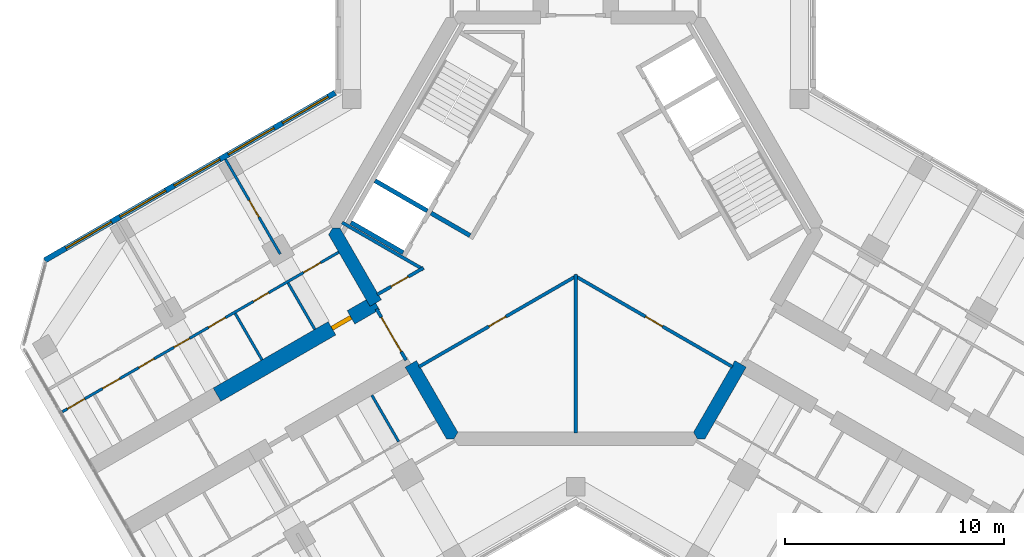
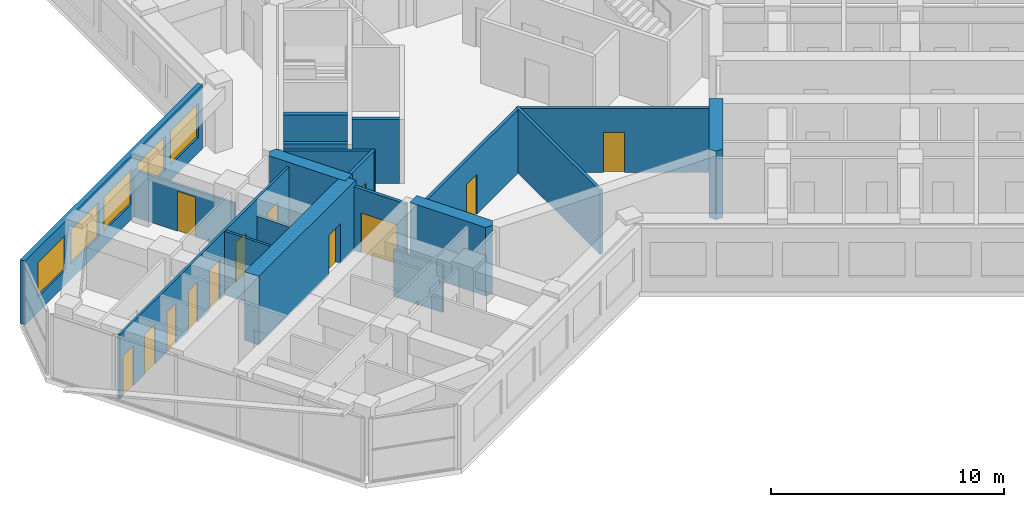
# One storey, part 9 of 16: 19 walls, 13 doors, 5 windows, 18 openings.
"""IFC4 building model written with IfcOpenShell, lengths in metres."""

from ifc_helpers import new_model, si_unit, direction, frame, frame_2d, origin, place, context, subcontext, project, spatial, polyline, rectangle, outline, extrude, material, layer, layer_set, type_object, element, fill, save


model = new_model("IFC4")

# Units and contexts
model_context = context("Model", 3, precision=1e-05, world=origin(), true_north=direction((0.0, 1.0)))
body_context = subcontext(model_context, "Body", "Model", "MODEL_VIEW")
ifc_project = project(units=[si_unit("LENGTHUNIT", "METRE"), si_unit("AREAUNIT", "SQUARE_METRE"), si_unit("VOLUMEUNIT", "CUBIC_METRE"), si_unit("PLANEANGLEUNIT", "RADIAN"), si_unit("MASSUNIT", "GRAM", prefix="KILO")], contexts=[model_context])

# Site, building, storey
site_placement = place(None, origin())
site = spatial("IfcSite", under=ifc_project, at=site_placement, CompositionType="ELEMENT")
building_placement = place(site_placement, origin())
building = spatial("IfcBuilding", under=site, at=building_placement, Name="Kosmar Iwan School Tower", CompositionType="ELEMENT")
storey_placement = place(building_placement, frame((0.0, 0.0, 231.60009765625)))
storey = spatial("IfcBuildingStorey", under=building, at=storey_placement, Name="L58", CompositionType="ELEMENT", Elevation=231.60009765625)

# Wall
ifc_material_1 = material(Name="Gypsum board on steel studs, fire-rated", Category="steel")
ifc_layer_1 = layer(ifc_material_1, 0.14990234375)
ifc_layer_set_1 = layer_set([ifc_layer_1], Name="Core room partition 150")
wall_type_1 = type_object("IfcWallType", Name="Core room partition 150", PredefinedType="PARTITIONING", material=ifc_layer_set_1)
wall_1_placement = place(storey_placement, frame((0.0, -9.344970703125, 0.0), z_axis=(0.0, 0.0, 1.0), x_axis=(0.0, 1.0, 0.0)))
element("IfcWall", 1, at=wall_1_placement, inside=storey, type_object=wall_type_1, Name="Core room partition L58-CW5", PredefinedType="PARTITIONING", context=body_context, shape_type="SweptSolid", body=[
    extrude(rectangle(XDim=7.22607421875, YDim=0.14990234375, at=frame_2d((3.613037109375, 0.0))), origin(), (0.0, 0.0, 1.0), 3.349853515625),
])

# Wall, opening, door
wall_2_placement = place(storey_placement, frame((-0.06494140625, -2.156494140625, 0.0), z_axis=(0.0, 0.0, 1.0), x_axis=(0.866034159509, -0.499984834333, 0.0)))
wall_2 = element("IfcWall", 2, at=wall_2_placement, inside=storey, type_object=wall_type_1, Name="Core room partition L58-CW6", PredefinedType="PARTITIONING", context=body_context, shape_type="SweptSolid", body=[
    extrude(rectangle(XDim=8.322998046875, YDim=0.14990234375, at=frame_2d((4.16162109375, 0.0))), origin(), (0.0, 0.0, 1.0), 3.349853515625),
])
opening_1_placement = place(wall_2_placement, frame((3.7470703125, 0.0, 0.0)))
opening_1 = element("IfcOpeningElement", 3, at=opening_1_placement, cuts=wall_2, Name="Opening D14", PredefinedType="OPENING", context=body_context, shape_type="SweptSolid", body=[
    extrude(rectangle(XDim=0.89990234375, YDim=2.10009765625, at=frame_2d((0.449951171875, 1.050048828125))), frame((0.0, 0.0869140625, 0.0), z_axis=(0.0, -1.0, 0.0), x_axis=(1.0, 0.0, 0.0)), (0.0, 0.0, 1.0), 0.173828125),
])
ifc_material_2 = material(Name="Timber fire door in steel frame", Category="steel")
door_type_1 = type_object("IfcDoorType", Name="Core room door 900x2100", OperationType="SINGLE_SWING_LEFT", PredefinedType="DOOR", material=ifc_material_2)
door_1_placement = place(opening_1_placement, origin())
door_1 = element("IfcDoor", 4, at=door_1_placement, inside=storey, type_object=door_type_1, Name="Residents' laundry room door L58 3", OperationType="SINGLE_SWING_RIGHT", OverallHeight=2.10009765625, OverallWidth=0.89990234375, PredefinedType="DOOR", context=body_context, shape_type="SweptSolid", body=[
    extrude(rectangle(XDim=0.89990234375, YDim=2.10009765625, at=frame_2d((0.449951171875, 1.050048828125))), frame((0.0, 0.02490234375, 0.0), z_axis=(0.0, -1.0, 0.0), x_axis=(1.0, 0.0, 0.0)), (0.0, 0.0, 1.0), 0.050048828125),
])
fill(opening_1, door_1)

wall_3_placement = place(storey_placement, frame((-7.14306640625, -6.31787109375, 0.0), z_axis=(0.0, 0.0, 1.0), x_axis=(0.866034159509, 0.499984834333, 0.0)))
wall_3 = element("IfcWall", 5, at=wall_3_placement, inside=storey, type_object=wall_type_1, Name="Core room partition L58-CW7", PredefinedType="PARTITIONING", context=body_context, shape_type="SweptSolid", body=[
    extrude(rectangle(XDim=8.322998046875, YDim=0.14990234375, at=frame_2d((4.16162109375, 0.0))), origin(), (0.0, 0.0, 1.0), 3.349853515625),
])
opening_2_placement = place(wall_3_placement, frame((3.677001953125, 0.0, 0.0)))
opening_2 = element("IfcOpeningElement", 6, at=opening_2_placement, cuts=wall_3, Name="Opening D14", PredefinedType="OPENING", context=body_context, shape_type="SweptSolid", body=[
    extrude(rectangle(XDim=0.89990234375, YDim=2.10009765625, at=frame_2d((0.449951171875, 1.050048828125))), frame((0.0, 0.0869140625, 0.0), z_axis=(0.0, -1.0, 0.0), x_axis=(1.0, 0.0, 0.0)), (0.0, 0.0, 1.0), 0.173828125),
])
door_2_placement = place(opening_2_placement, origin())
door_2 = element("IfcDoor", 7, at=door_2_placement, inside=storey, type_object=door_type_1, Name="Bulky waste store door L58 4", OperationType="SINGLE_SWING_LEFT", OverallHeight=2.10009765625, OverallWidth=0.89990234375, PredefinedType="DOOR", context=body_context, shape_type="SweptSolid", body=[
    extrude(rectangle(XDim=0.89990234375, YDim=2.10009765625, at=frame_2d((0.449951171875, 1.050048828125))), frame((0.0, 0.02490234375, 0.0), z_axis=(0.0, -1.0, 0.0), x_axis=(1.0, 0.0, 0.0)), (0.0, 0.0, 1.0), 0.050048828125),
])
fill(opening_2, door_2)

# Wall
wall_4_placement = place(storey_placement, frame((-10.64306640625, 0.255859375, 0.0), z_axis=(0.0, 0.0, 1.0), x_axis=(0.866020364144, -0.500008728811, 0.0)))
element("IfcWall", 8, at=wall_4_placement, inside=storey, type_object=wall_type_1, Name="Core room partition L58-CW8", PredefinedType="PARTITIONING", context=body_context, shape_type="SweptSolid", body=[
    extrude(rectangle(XDim=4.28173828125, YDim=0.14990234375, at=frame_2d((2.140869140625, 0.0))), origin(), (0.0, 0.0, 1.0), 3.349853515625),
])

# Wall, opening, door
wall_5_placement = place(storey_placement, frame((-6.93505859375, -1.81005859375, 0.0), z_axis=(0.0, 0.0, 1.0), x_axis=(-0.86601855109, -0.500011869027, 0.0)))
wall_5 = element("IfcWall", 9, at=wall_5_placement, inside=storey, type_object=wall_type_1, Name="Core room partition L58-CW9", PredefinedType="PARTITIONING", context=body_context, shape_type="SweptSolid", body=[
    extrude(rectangle(XDim=2.43408203125, YDim=0.14990234375, at=frame_2d((1.217041015625, 0.0))), origin(), (0.0, 0.0, 1.0), 3.349853515625),
])
opening_3_placement = place(wall_5_placement, frame((0.802001953125, 0.0, 0.0)))
opening_3 = element("IfcOpeningElement", 10, at=opening_3_placement, cuts=wall_5, Name="Opening D14", PredefinedType="OPENING", context=body_context, shape_type="SweptSolid", body=[
    extrude(rectangle(XDim=0.89990234375, YDim=2.10009765625, at=frame_2d((0.449951171875, 1.050048828125))), frame((0.0, 0.0869140625, 0.0), z_axis=(0.0, -1.0, 0.0), x_axis=(1.0, 0.0, 0.0)), (0.0, 0.0, 1.0), 0.173828125),
])
door_3_placement = place(opening_3_placement, origin())
door_3 = element("IfcDoor", 11, at=door_3_placement, inside=storey, type_object=door_type_1, Name="Communications room door L58 5", OperationType="SINGLE_SWING_RIGHT", OverallHeight=2.10009765625, OverallWidth=0.89990234375, PredefinedType="DOOR", context=body_context, shape_type="SweptSolid", body=[
    extrude(rectangle(XDim=0.89990234375, YDim=2.10009765625, at=frame_2d((0.449951171875, 1.050048828125))), frame((0.0, 0.02490234375, 0.0), z_axis=(0.0, -1.0, 0.0), x_axis=(1.0, 0.0, 0.0)), (0.0, 0.0, 1.0), 0.050048828125),
])
fill(opening_3, door_3)

# Walls
ifc_material_3 = material(Name="Concrete C50/60", Category="concrete")
ifc_layer_2 = layer(ifc_material_3, 0.60009765625)
ifc_layer_set_2 = layer_set([ifc_layer_2], Name="Core wall 600")
wall_type_2 = type_object("IfcWallType", Name="Core wall 600", PredefinedType="SHEAR", material=ifc_layer_set_2)
wall_6_placement = place(storey_placement, origin())
element("IfcWall", 12, at=wall_6_placement, inside=storey, type_object=wall_type_2, Name="Core wall F210a", PredefinedType="SHEAR", context=body_context, shape_type="SweptSolid", body=[
    extrude(outline(polyline([(-9.37353515625, -3.564453125), (-8.85400390625, -3.264404296875), (-10.73876953125, 0.0), (-11.085205078125, 0.0), (-11.25830078125, -0.300048828125), (-9.37353515625, -3.564453125)])), origin(), (0.0, 0.0, 1.0), 3.599853515625),
])
wall_7_placement = place(storey_placement, origin())
element("IfcWall", 13, at=wall_7_placement, inside=storey, type_object=wall_type_2, Name="Core wall F210b", PredefinedType="SHEAR", context=body_context, shape_type="SweptSolid", body=[
    extrude(outline(polyline([(-5.888916015625, -9.60009765625), (-5.54248046875, -9.60009765625), (-5.369384765625, -9.300048828125), (-7.254150390625, -6.03564453125), (-7.773681640625, -6.335693359375), (-5.888916015625, -9.60009765625)])), origin(), (0.0, 0.0, 1.0), 3.599853515625),
])
wall_8_placement = place(storey_placement, origin())
element("IfcWall", 14, at=wall_8_placement, inside=storey, type_object=wall_type_2, Name="Core wall F330a", PredefinedType="SHEAR", context=body_context, shape_type="SweptSolid", body=[
    extrude(outline(polyline([(5.54248046875, -9.60009765625), (5.888916015625, -9.60009765625), (7.773681640625, -6.335693359375), (7.254150390625, -6.03564453125), (5.369384765625, -9.300048828125), (5.54248046875, -9.60009765625)])), origin(), (0.0, 0.0, 1.0), 3.599853515625),
])

# Wall, opening, door
ifc_material_4 = material(Name="Concrete C50/60", Category="concrete")
ifc_layer_3 = layer(ifc_material_4, 0.699951171875)
ifc_layer_set_3 = layer_set([ifc_layer_3], Name="Corridor buttress wall 700")
wall_type_3 = type_object("IfcWallType", Name="Corridor buttress wall 700", PredefinedType="SHEAR", material=ifc_layer_set_3)
wall_9_placement = place(storey_placement, frame((-9.11376953125, -3.414306640625, 0.0), z_axis=(0.0, 0.0, 1.0), x_axis=(-0.866026859388, -0.499997478812, 0.0)))
wall_9 = element("IfcWall", 15, at=wall_9_placement, inside=storey, type_object=wall_type_3, Name="Corridor wall BR", PredefinedType="SHEAR", context=body_context, shape_type="SweptSolid", body=[
    extrude(rectangle(XDim=8.35009765625, YDim=0.699951171875, at=frame_2d((4.175048828125, 0.0))), origin(), (0.0, 0.0, 1.0), 3.599853515625),
])
opening_4_placement = place(wall_9_placement, frame((1.300048828125, 0.0, 0.0)))
opening_4 = element("IfcOpeningElement", 16, at=opening_4_placement, cuts=wall_9, Name="Opening D1", PredefinedType="OPENING", context=body_context, shape_type="SweptSolid", body=[
    extrude(rectangle(XDim=1.0, YDim=2.10009765625, at=frame_2d((0.5, 1.050048828125))), frame((0.0, 0.362060546875, 0.0), z_axis=(0.0, -1.0, 0.0), x_axis=(1.0, 0.0, 0.0)), (0.0, 0.0, 1.0), 0.723876953125),
])
ifc_material_5 = material(Name="Timber fire door in steel frame", Category="steel")
door_type_2 = type_object("IfcDoorType", Name="Flat entrance door 1000x2100", OperationType="SINGLE_SWING_LEFT", PredefinedType="DOOR", material=ifc_material_5)
door_4_placement = place(opening_4_placement, origin())
door_4 = element("IfcDoor", 17, at=door_4_placement, inside=storey, type_object=door_type_2, Name="Flat L58-BR1 entrance door", OperationType="SINGLE_SWING_LEFT", OverallHeight=2.10009765625, OverallWidth=1.0, PredefinedType="DOOR", context=body_context, shape_type="SweptSolid", body=[
    extrude(rectangle(XDim=1.0, YDim=2.10009765625, at=frame_2d((0.5, 1.050048828125))), frame((0.0, 0.10009765625, 0.0), z_axis=(0.0, -1.0, 0.0), x_axis=(1.0, 0.0, 0.0)), (0.0, 0.0, 1.0), 0.199951171875),
])
fill(opening_4, door_4)

ifc_material_6 = material(Name="Steel framed glazed screen", Category="steel")
ifc_layer_4 = layer(ifc_material_6, 0.14990234375)
ifc_layer_set_4 = layer_set([ifc_layer_4], Name="Corridor screen wall 150")
wall_type_4 = type_object("IfcWallType", Name="Corridor screen wall 150", PredefinedType="PARTITIONING", material=ifc_layer_set_4)
wall_10_placement = place(storey_placement, frame((-9.075439453125, -3.680908203125, 0.0), z_axis=(0.0, 0.0, 1.0), x_axis=(0.500048589285, -0.86599734893, 0.0)))
wall_10 = element("IfcWall", 18, at=wall_10_placement, inside=storey, type_object=wall_type_4, Name="Corridor screen B L58", PredefinedType="PARTITIONING", context=body_context, shape_type="SweptSolid", body=[
    extrude(rectangle(XDim=2.699951171875, YDim=0.14990234375, at=frame_2d((1.35009765625, 0.0))), origin(), (0.0, 0.0, 1.0), 3.349853515625),
])
opening_5_placement = place(wall_10_placement, frame((0.449951171875, 0.0, 0.0)))
opening_5 = element("IfcOpeningElement", 19, at=opening_5_placement, cuts=wall_10, Name="Opening D9", PredefinedType="OPENING", context=body_context, shape_type="SweptSolid", body=[
    extrude(rectangle(XDim=1.800048828125, YDim=2.10009765625, at=frame_2d((0.89990234375, 1.050048828125))), frame((0.0, 0.0869140625, 0.0), z_axis=(0.0, -1.0, 0.0), x_axis=(1.0, 0.0, 0.0)), (0.0, 0.0, 1.0), 0.173828125),
])
ifc_material_7 = material(Name="Steel framed glazed smoke door", Category="steel")
door_type_3 = type_object("IfcDoorType", Name="Corridor smoke door pair 1800x2100", OperationType="DOUBLE_DOOR_DOUBLE_SWING", PredefinedType="DOOR", material=ifc_material_7)
door_5_placement = place(opening_5_placement, origin())
door_5 = element("IfcDoor", 20, at=door_5_placement, inside=storey, type_object=door_type_3, Name="Corridor doors B L58", OperationType="DOUBLE_DOOR_DOUBLE_SWING", OverallHeight=2.10009765625, OverallWidth=1.800048828125, PredefinedType="DOOR", context=body_context, shape_type="SweptSolid", body=[
    extrude(rectangle(XDim=1.800048828125, YDim=2.10009765625, at=frame_2d((0.89990234375, 1.050048828125))), frame((0.0, 0.02490234375, 0.0), z_axis=(0.0, -1.0, 0.0), x_axis=(1.0, 0.0, 0.0)), (0.0, 0.0, 1.0), 0.050048828125),
])
fill(opening_5, door_5)

# Wall
ifc_material_8 = material(Name="Gypsum board on steel studs", Category="steel")
ifc_layer_5 = layer(ifc_material_8, 0.1201171875)
ifc_layer_set_5 = layer_set([ifc_layer_5], Name="Dwelling partition 120")
wall_type_5 = type_object("IfcWallType", Name="Dwelling partition 120", PredefinedType="PARTITIONING", material=ifc_layer_set_5)
wall_11_placement = place(storey_placement, frame((-9.287353515625, -7.61376953125, 0.0), z_axis=(0.0, 0.0, 1.0), x_axis=(0.500002508028, -0.866023955769, 0.0)))
element("IfcWall", 21, at=wall_11_placement, inside=storey, type_object=wall_type_5, Name="Partition L58-BL1-Y1", PredefinedType="PARTITIONING", context=body_context, shape_type="SweptSolid", body=[
    extrude(rectangle(XDim=2.43994140625, YDim=0.1201171875, at=frame_2d((1.219970703125, 0.0))), origin(), (0.0, 0.0, 1.0), 2.449951171875),
])

# Wall, openings, doors
wall_12_placement = place(storey_placement, frame((-10.798583984375, -1.09619140625, 0.0), z_axis=(0.0, 0.0, 1.0), x_axis=(-0.866028217562, -0.499995126363, 0.0)))
wall_12 = element("IfcWall", 22, at=wall_12_placement, inside=storey, type_object=wall_type_5, Name="Partition L58-BR1-W1", PredefinedType="PARTITIONING", context=body_context, shape_type="SweptSolid", body=[
    extrude(rectangle(XDim=14.545166015625, YDim=0.1201171875, at=frame_2d((7.2724609375, 0.0))), origin(), (0.0, 0.0, 1.0), 3.349853515625),
])
opening_6_placement = place(wall_12_placement, frame((0.949951171875, 0.0, 0.0)))
opening_6 = element("IfcOpeningElement", 23, at=opening_6_placement, cuts=wall_12, Name="Opening D2", PredefinedType="OPENING", context=body_context, shape_type="SweptSolid", body=[
    extrude(rectangle(XDim=0.89990234375, YDim=2.10009765625, at=frame_2d((0.449951171875, 1.050048828125))), frame((0.0, 0.072021484375, 0.0), z_axis=(0.0, -1.0, 0.0), x_axis=(1.0, 0.0, 0.0)), (0.0, 0.0, 1.0), 0.14404296875),
])
opening_7_placement = place(wall_12_placement, frame((3.6904296875, 0.0, 0.0)))
opening_7 = element("IfcOpeningElement", 24, at=opening_7_placement, cuts=wall_12, Name="Opening D3", PredefinedType="OPENING", context=body_context, shape_type="SweptSolid", body=[
    extrude(rectangle(XDim=0.800048828125, YDim=2.10009765625, at=frame_2d((0.39990234375, 1.050048828125))), frame((0.0, 0.072021484375, 0.0), z_axis=(0.0, -1.0, 0.0), x_axis=(1.0, 0.0, 0.0)), (0.0, 0.0, 1.0), 0.14404296875),
])
opening_8_placement = place(wall_12_placement, frame((5.957763671875, 0.0, 0.0)))
opening_8 = element("IfcOpeningElement", 25, at=opening_8_placement, cuts=wall_12, Name="Opening D2", PredefinedType="OPENING", context=body_context, shape_type="SweptSolid", body=[
    extrude(rectangle(XDim=0.89990234375, YDim=2.10009765625, at=frame_2d((0.449951171875, 1.050048828125))), frame((0.0, 0.072021484375, 0.0), z_axis=(0.0, -1.0, 0.0), x_axis=(1.0, 0.0, 0.0)), (0.0, 0.0, 1.0), 0.14404296875),
])
opening_9_placement = place(wall_12_placement, frame((7.861572265625, 0.0, 0.0)))
opening_9 = element("IfcOpeningElement", 26, at=opening_9_placement, cuts=wall_12, Name="Opening D3", PredefinedType="OPENING", context=body_context, shape_type="SweptSolid", body=[
    extrude(rectangle(XDim=0.800048828125, YDim=2.10009765625, at=frame_2d((0.39990234375, 1.050048828125))), frame((0.0, 0.072021484375, 0.0), z_axis=(0.0, -1.0, 0.0), x_axis=(1.0, 0.0, 0.0)), (0.0, 0.0, 1.0), 0.14404296875),
])
opening_10_placement = place(wall_12_placement, frame((9.71533203125, 0.0, 0.0)))
opening_10 = element("IfcOpeningElement", 27, at=opening_10_placement, cuts=wall_12, Name="Opening D3", PredefinedType="OPENING", context=body_context, shape_type="SweptSolid", body=[
    extrude(rectangle(XDim=0.800048828125, YDim=2.10009765625, at=frame_2d((0.39990234375, 1.050048828125))), frame((0.0, 0.072021484375, 0.0), z_axis=(0.0, -1.0, 0.0), x_axis=(1.0, 0.0, 0.0)), (0.0, 0.0, 1.0), 0.14404296875),
])
opening_11_placement = place(wall_12_placement, frame((11.519287109375, 0.0, 0.0)))
opening_11 = element("IfcOpeningElement", 28, at=opening_11_placement, cuts=wall_12, Name="Opening D2", PredefinedType="OPENING", context=body_context, shape_type="SweptSolid", body=[
    extrude(rectangle(XDim=0.89990234375, YDim=2.10009765625, at=frame_2d((0.449951171875, 1.050048828125))), frame((0.0, 0.072021484375, 0.0), z_axis=(0.0, -1.0, 0.0), x_axis=(1.0, 0.0, 0.0)), (0.0, 0.0, 1.0), 0.14404296875),
])
opening_12_placement = place(wall_12_placement, frame((13.373046875, 0.0, 0.0)))
opening_12 = element("IfcOpeningElement", 29, at=opening_12_placement, cuts=wall_12, Name="Opening D2", PredefinedType="OPENING", context=body_context, shape_type="SweptSolid", body=[
    extrude(rectangle(XDim=0.89990234375, YDim=2.10009765625, at=frame_2d((0.449951171875, 1.050048828125))), frame((0.0, 0.072021484375, 0.0), z_axis=(0.0, -1.0, 0.0), x_axis=(1.0, 0.0, 0.0)), (0.0, 0.0, 1.0), 0.14404296875),
])
ifc_material_9 = material(Name="Timber door in timber frame", Category="wood")
door_type_4 = type_object("IfcDoorType", Name="Internal door 900x2100", OperationType="SINGLE_SWING_LEFT", PredefinedType="DOOR", material=ifc_material_9)
door_6_placement = place(opening_6_placement, origin())
door_6 = element("IfcDoor", 30, at=door_6_placement, inside=storey, type_object=door_type_4, Name="Entrance hall door L58-BR1-S1", OperationType="SINGLE_SWING_RIGHT", OverallHeight=2.10009765625, OverallWidth=0.89990234375, PredefinedType="DOOR", context=body_context, shape_type="SweptSolid", body=[
    extrude(rectangle(XDim=0.89990234375, YDim=2.10009765625, at=frame_2d((0.449951171875, 1.050048828125))), frame((0.0, 0.02490234375, 0.0), z_axis=(0.0, -1.0, 0.0), x_axis=(1.0, 0.0, 0.0)), (0.0, 0.0, 1.0), 0.050048828125),
])
fill(opening_6, door_6)
door_7_placement = place(opening_8_placement, origin())
door_7 = element("IfcDoor", 31, at=door_7_placement, inside=storey, type_object=door_type_4, Name="Pantry door L58-BR1-S3", OperationType="SINGLE_SWING_RIGHT", OverallHeight=2.10009765625, OverallWidth=0.89990234375, PredefinedType="DOOR", context=body_context, shape_type="SweptSolid", body=[
    extrude(rectangle(XDim=0.89990234375, YDim=2.10009765625, at=frame_2d((0.449951171875, 1.050048828125))), frame((0.0, 0.02490234375, 0.0), z_axis=(0.0, -1.0, 0.0), x_axis=(1.0, 0.0, 0.0)), (0.0, 0.0, 1.0), 0.050048828125),
])
fill(opening_8, door_7)
door_8_placement = place(opening_11_placement, origin())
door_8 = element("IfcDoor", 32, at=door_8_placement, inside=storey, type_object=door_type_4, Name="Utility room door L58-BR1-S6", OperationType="SINGLE_SWING_LEFT", OverallHeight=2.10009765625, OverallWidth=0.89990234375, PredefinedType="DOOR", context=body_context, shape_type="SweptSolid", body=[
    extrude(rectangle(XDim=0.89990234375, YDim=2.10009765625, at=frame_2d((0.449951171875, 1.050048828125))), frame((0.0, 0.02490234375, 0.0), z_axis=(0.0, -1.0, 0.0), x_axis=(1.0, 0.0, 0.0)), (0.0, 0.0, 1.0), 0.050048828125),
])
fill(opening_11, door_8)
door_9_placement = place(opening_12_placement, origin())
door_9 = element("IfcDoor", 33, at=door_9_placement, inside=storey, type_object=door_type_4, Name="Dressing room door L58-BR1-S7", OperationType="SINGLE_SWING_RIGHT", OverallHeight=2.10009765625, OverallWidth=0.89990234375, PredefinedType="DOOR", context=body_context, shape_type="SweptSolid", body=[
    extrude(rectangle(XDim=0.89990234375, YDim=2.10009765625, at=frame_2d((0.449951171875, 1.050048828125))), frame((0.0, 0.02490234375, 0.0), z_axis=(0.0, -1.0, 0.0), x_axis=(1.0, 0.0, 0.0)), (0.0, 0.0, 1.0), 0.050048828125),
])
fill(opening_12, door_9)
ifc_material_10 = material(Name="Timber door in timber frame", Category="wood")
door_type_5 = type_object("IfcDoorType", Name="Sanitary room door 800x2100", OperationType="SINGLE_SWING_LEFT", PredefinedType="DOOR", material=ifc_material_10)
door_10_placement = place(opening_7_placement, origin())
door_10 = element("IfcDoor", 34, at=door_10_placement, inside=storey, type_object=door_type_5, Name="Bathroom door L58-BR1-S2", OperationType="SINGLE_SWING_LEFT", OverallHeight=2.10009765625, OverallWidth=0.800048828125, PredefinedType="DOOR", context=body_context, shape_type="SweptSolid", body=[
    extrude(rectangle(XDim=0.800048828125, YDim=2.10009765625, at=frame_2d((0.39990234375, 1.050048828125))), frame((0.0, 0.02490234375, 0.0), z_axis=(0.0, -1.0, 0.0), x_axis=(1.0, 0.0, 0.0)), (0.0, 0.0, 1.0), 0.050048828125),
])
fill(opening_7, door_10)
door_11_placement = place(opening_9_placement, origin())
door_11 = element("IfcDoor", 35, at=door_11_placement, inside=storey, type_object=door_type_5, Name="WC door L58-BR1-S4", OperationType="SINGLE_SWING_LEFT", OverallHeight=2.10009765625, OverallWidth=0.800048828125, PredefinedType="DOOR", context=body_context, shape_type="SweptSolid", body=[
    extrude(rectangle(XDim=0.800048828125, YDim=2.10009765625, at=frame_2d((0.39990234375, 1.050048828125))), frame((0.0, 0.02490234375, 0.0), z_axis=(0.0, -1.0, 0.0), x_axis=(1.0, 0.0, 0.0)), (0.0, 0.0, 1.0), 0.050048828125),
])
fill(opening_9, door_11)
door_12_placement = place(opening_10_placement, origin())
door_12 = element("IfcDoor", 36, at=door_12_placement, inside=storey, type_object=door_type_5, Name="Store door L58-BR1-S5", OperationType="SINGLE_SWING_RIGHT", OverallHeight=2.10009765625, OverallWidth=0.800048828125, PredefinedType="DOOR", context=body_context, shape_type="SweptSolid", body=[
    extrude(rectangle(XDim=0.800048828125, YDim=2.10009765625, at=frame_2d((0.39990234375, 1.050048828125))), frame((0.0, 0.02490234375, 0.0), z_axis=(0.0, -1.0, 0.0), x_axis=(1.0, 0.0, 0.0)), (0.0, 0.0, 1.0), 0.050048828125),
])
fill(opening_10, door_12)

# Wall, opening, door
wall_13_placement = place(storey_placement, frame((-13.4638671875, -1.179931640625, 0.0), z_axis=(0.0, 0.0, 1.0), x_axis=(-0.499975153383, 0.86603974851, 0.0)))
wall_13 = element("IfcWall", 37, at=wall_13_placement, inside=storey, type_object=wall_type_5, Name="Partition L58-BR1-X1", PredefinedType="PARTITIONING", context=body_context, shape_type="SweptSolid", body=[
    extrude(rectangle(XDim=4.989990234375, YDim=0.1201171875, at=frame_2d((2.4951171875, 0.0))), origin(), (0.0, 0.0, 1.0), 2.449951171875),
])
opening_13_placement = place(wall_13_placement, frame((1.93994140625, 0.0, 0.0)))
opening_13 = element("IfcOpeningElement", 38, at=opening_13_placement, cuts=wall_13, Name="Opening D2", PredefinedType="OPENING", context=body_context, shape_type="SweptSolid", body=[
    extrude(rectangle(XDim=0.89990234375, YDim=2.10009765625, at=frame_2d((0.449951171875, 1.050048828125))), frame((0.0, 0.072021484375, 0.0), z_axis=(0.0, -1.0, 0.0), x_axis=(1.0, 0.0, 0.0)), (0.0, 0.0, 1.0), 0.14404296875),
])
door_13_placement = place(opening_13_placement, origin())
door_13 = element("IfcDoor", 39, at=door_13_placement, inside=storey, type_object=door_type_4, Name="Kitchen and dining room door L58-BR1-F1", OperationType="SINGLE_SWING_LEFT", OverallHeight=2.10009765625, OverallWidth=0.89990234375, PredefinedType="DOOR", context=body_context, shape_type="SweptSolid", body=[
    extrude(rectangle(XDim=0.89990234375, YDim=2.10009765625, at=frame_2d((0.449951171875, 1.050048828125))), frame((0.0, 0.02490234375, 0.0), z_axis=(0.0, -1.0, 0.0), x_axis=(1.0, 0.0, 0.0)), (0.0, 0.0, 1.0), 0.050048828125),
])
fill(opening_13, door_13)

# Walls
wall_14_placement = place(storey_placement, frame((-11.886962890625, -4.611328125, 0.0), z_axis=(0.0, 0.0, 1.0), x_axis=(-0.499959183527, 0.866048967903, 0.0)))
element("IfcWall", 40, at=wall_14_placement, inside=storey, type_object=wall_type_5, Name="Partition L58-BR1-Y1", PredefinedType="PARTITIONING", context=body_context, shape_type="SweptSolid", body=[
    extrude(rectangle(XDim=2.440185546875, YDim=0.1201171875, at=frame_2d((1.22021484375, 0.0))), origin(), (0.0, 0.0, 1.0), 2.449951171875),
])
wall_15_placement = place(storey_placement, frame((-14.295166015625, -6.001708984375, 0.0), z_axis=(0.0, 0.0, 1.0), x_axis=(-0.499959183527, 0.866048967903, 0.0)))
element("IfcWall", 41, at=wall_15_placement, inside=storey, type_object=wall_type_5, Name="Partition L58-BR1-Y2", PredefinedType="PARTITIONING", context=body_context, shape_type="SweptSolid", body=[
    extrude(rectangle(XDim=2.440185546875, YDim=0.1201171875, at=frame_2d((1.22021484375, 0.0))), origin(), (0.0, 0.0, 1.0), 3.349853515625),
])

# Wall, openings, windows
ifc_material_11 = material(Name="Black aluminium rainscreen on insulated framing", Category="aluminium")
ifc_layer_6 = layer(ifc_material_11, 0.25)
ifc_layer_set_6 = layer_set([ifc_layer_6], Name="External wall rainscreen 250")
wall_type_6 = type_object("IfcWallType", Name="External wall rainscreen 250", PredefinedType="SOLIDWALL", material=ifc_layer_set_6)
wall_16_placement = place(storey_placement, frame((-10.962890625, 6.170166015625, 0.0), z_axis=(0.0, 0.0, 1.0), x_axis=(-0.866025637253, -0.499999595621, 0.0)))
wall_16 = element("IfcWall", 42, at=wall_16_placement, inside=storey, type_object=wall_type_6, Name="External wall BR L58", PredefinedType="SOLIDWALL", context=body_context, shape_type="SweptSolid", body=[
    extrude(rectangle(XDim=15.2763671875, YDim=0.25, at=frame_2d((7.63818359375, 0.0))), origin(), (0.0, 0.0, 1.0), 3.349853515625),
])
opening_14_placement = place(wall_16_placement, frame((0.365966796875, 0.0, 0.800048828125)))
opening_14 = element("IfcOpeningElement", 43, at=opening_14_placement, cuts=wall_16, Name="Opening W5", PredefinedType="OPENING", context=body_context, shape_type="SweptSolid", body=[
    extrude(rectangle(XDim=2.39990234375, YDim=1.800048828125, at=frame_2d((1.199951171875, 0.89990234375))), frame((0.0, 0.136962890625, 0.0), z_axis=(0.0, -1.0, 0.0), x_axis=(1.0, 0.0, 0.0)), (0.0, 0.0, 1.0), 0.27392578125),
])
opening_15_placement = place(wall_16_placement, frame((3.216064453125, 0.0, 0.800048828125)))
opening_15 = element("IfcOpeningElement", 44, at=opening_15_placement, cuts=wall_16, Name="Opening W5", PredefinedType="OPENING", context=body_context, shape_type="SweptSolid", body=[
    extrude(rectangle(XDim=2.39990234375, YDim=1.800048828125, at=frame_2d((1.199951171875, 0.89990234375))), frame((0.0, 0.136962890625, 0.0), z_axis=(0.0, -1.0, 0.0), x_axis=(1.0, 0.0, 0.0)), (0.0, 0.0, 1.0), 0.27392578125),
])
opening_16_placement = place(wall_16_placement, frame((6.06591796875, 0.0, 0.800048828125)))
opening_16 = element("IfcOpeningElement", 45, at=opening_16_placement, cuts=wall_16, Name="Opening W5", PredefinedType="OPENING", context=body_context, shape_type="SweptSolid", body=[
    extrude(rectangle(XDim=2.39990234375, YDim=1.800048828125, at=frame_2d((1.199951171875, 0.89990234375))), frame((0.0, 0.136962890625, 0.0), z_axis=(0.0, -1.0, 0.0), x_axis=(1.0, 0.0, 0.0)), (0.0, 0.0, 1.0), 0.27392578125),
])
opening_17_placement = place(wall_16_placement, frame((8.916015625, 0.0, 0.800048828125)))
opening_17 = element("IfcOpeningElement", 46, at=opening_17_placement, cuts=wall_16, Name="Opening W5", PredefinedType="OPENING", context=body_context, shape_type="SweptSolid", body=[
    extrude(rectangle(XDim=2.39990234375, YDim=1.800048828125, at=frame_2d((1.199951171875, 0.89990234375))), frame((0.0, 0.136962890625, 0.0), z_axis=(0.0, -1.0, 0.0), x_axis=(1.0, 0.0, 0.0)), (0.0, 0.0, 1.0), 0.27392578125),
])
opening_18_placement = place(wall_16_placement, frame((11.76611328125, 0.0, 0.800048828125)))
opening_18 = element("IfcOpeningElement", 47, at=opening_18_placement, cuts=wall_16, Name="Opening W5", PredefinedType="OPENING", context=body_context, shape_type="SweptSolid", body=[
    extrude(rectangle(XDim=2.39990234375, YDim=1.800048828125, at=frame_2d((1.199951171875, 0.89990234375))), frame((0.0, 0.136962890625, 0.0), z_axis=(0.0, -1.0, 0.0), x_axis=(1.0, 0.0, 0.0)), (0.0, 0.0, 1.0), 0.27392578125),
])
ifc_material_12 = material(Name="Black aluminium frame with dark triple glazing", Category="aluminium")
window_type = type_object("IfcWindowType", Name="Window 2400x1800", PartitioningType="SINGLE_PANEL", PredefinedType="WINDOW", material=ifc_material_12)
window_1_placement = place(opening_14_placement, origin())
window_1 = element("IfcWindow", 48, at=window_1_placement, inside=storey, type_object=window_type, Name="Window BR L58 -1", OverallHeight=1.800048828125, OverallWidth=2.39990234375, PartitioningType="SINGLE_PANEL", PredefinedType="WINDOW", context=body_context, shape_type="SweptSolid", body=[
    extrude(rectangle(XDim=2.39990234375, YDim=1.800048828125, at=frame_2d((1.199951171875, 0.89990234375))), frame((0.0, 0.030029296875, 0.0), z_axis=(0.0, -1.0, 0.0), x_axis=(1.0, 0.0, 0.0)), (0.0, 0.0, 1.0), 0.06005859375),
])
fill(opening_14, window_1)
window_2_placement = place(opening_15_placement, origin())
window_2 = element("IfcWindow", 49, at=window_2_placement, inside=storey, type_object=window_type, Name="Window BR L58 0", OverallHeight=1.800048828125, OverallWidth=2.39990234375, PartitioningType="SINGLE_PANEL", PredefinedType="WINDOW", context=body_context, shape_type="SweptSolid", body=[
    extrude(rectangle(XDim=2.39990234375, YDim=1.800048828125, at=frame_2d((1.199951171875, 0.89990234375))), frame((0.0, 0.030029296875, 0.0), z_axis=(0.0, -1.0, 0.0), x_axis=(1.0, 0.0, 0.0)), (0.0, 0.0, 1.0), 0.06005859375),
])
fill(opening_15, window_2)
window_3_placement = place(opening_16_placement, origin())
window_3 = element("IfcWindow", 50, at=window_3_placement, inside=storey, type_object=window_type, Name="Window BR L58 1", OverallHeight=1.800048828125, OverallWidth=2.39990234375, PartitioningType="SINGLE_PANEL", PredefinedType="WINDOW", context=body_context, shape_type="SweptSolid", body=[
    extrude(rectangle(XDim=2.39990234375, YDim=1.800048828125, at=frame_2d((1.199951171875, 0.89990234375))), frame((0.0, 0.030029296875, 0.0), z_axis=(0.0, -1.0, 0.0), x_axis=(1.0, 0.0, 0.0)), (0.0, 0.0, 1.0), 0.06005859375),
])
fill(opening_16, window_3)
window_4_placement = place(opening_17_placement, origin())
window_4 = element("IfcWindow", 51, at=window_4_placement, inside=storey, type_object=window_type, Name="Window BR L58 2", OverallHeight=1.800048828125, OverallWidth=2.39990234375, PartitioningType="SINGLE_PANEL", PredefinedType="WINDOW", context=body_context, shape_type="SweptSolid", body=[
    extrude(rectangle(XDim=2.39990234375, YDim=1.800048828125, at=frame_2d((1.199951171875, 0.89990234375))), frame((0.0, 0.030029296875, 0.0), z_axis=(0.0, -1.0, 0.0), x_axis=(1.0, 0.0, 0.0)), (0.0, 0.0, 1.0), 0.06005859375),
])
fill(opening_17, window_4)
window_5_placement = place(opening_18_placement, origin())
window_5 = element("IfcWindow", 52, at=window_5_placement, inside=storey, type_object=window_type, Name="Window BR L58 3", OverallHeight=1.800048828125, OverallWidth=2.39990234375, PartitioningType="SINGLE_PANEL", PredefinedType="WINDOW", context=body_context, shape_type="SweptSolid", body=[
    extrude(rectangle(XDim=2.39990234375, YDim=1.800048828125, at=frame_2d((1.199951171875, 0.89990234375))), frame((0.0, 0.030029296875, 0.0), z_axis=(0.0, -1.0, 0.0), x_axis=(1.0, 0.0, 0.0)), (0.0, 0.0, 1.0), 0.06005859375),
])
fill(opening_18, window_5)

# Walls
ifc_material_13 = material(Name="Concrete block masonry", Category="masonry")
ifc_layer_7 = layer(ifc_material_13, 0.199951171875)
ifc_layer_set_7 = layer_set([ifc_layer_7], Name="Fire lobby wall 200")
wall_type_7 = type_object("IfcWallType", Name="Fire lobby wall 200", PredefinedType="PARTITIONING", material=ifc_layer_set_7)
wall_17_placement = place(storey_placement, frame((-4.814208984375, -0.33837890625, 0.0), z_axis=(0.0, 0.0, 1.0), x_axis=(-0.865969381856, 0.500097020274, 0.0)))
element("IfcWall", 53, at=wall_17_placement, inside=storey, type_object=wall_type_7, Name="Firefighting lobby wall ST2", PredefinedType="PARTITIONING", context=body_context, shape_type="SweptSolid", body=[
    extrude(rectangle(XDim=2.0498046875, YDim=0.199951171875, at=frame_2d((1.02490234375, 0.0))), origin(), (0.0, 0.0, 1.0), 3.349853515625),
])
ifc_material_14 = material(Name="Concrete C50/60", Category="concrete")
ifc_layer_8 = layer(ifc_material_14, 0.199951171875)
ifc_layer_set_8 = layer_set([ifc_layer_8], Name="Lift shaft wall 200")
wall_type_8 = type_object("IfcWallType", Name="Lift shaft wall 200", PredefinedType="SHEAR", material=ifc_layer_set_8)
for number, where, z_axis, x_axis, name in (
    (54, (-6.7626953125, 0.78662109375, 0.0), (0.0, 0.0, 1.0), (-0.866027397988, 0.499996545922, 0.0), "Lift shaft wall AB 1"),
    (55, (-7.862548828125, -1.118408203125, 0.0), (0.0, 0.0, 1.0), (-0.866027397988, 0.499996545922, 0.0), "Lift shaft wall AB 2"),
):
    element("IfcWall", number, at=place(storey_placement, frame(where, z_axis=z_axis, x_axis=x_axis)), inside=storey, type_object=wall_type_8, Name=name, PredefinedType="SHEAR", context=body_context, shape_type="SweptSolid", body=[
        extrude(rectangle(XDim=2.75, YDim=0.199951171875, at=frame_2d((1.375, 0.0))), origin(), (0.0, 0.0, 1.0), 3.599853515625),
    ])

save(model, "model.ifc")
